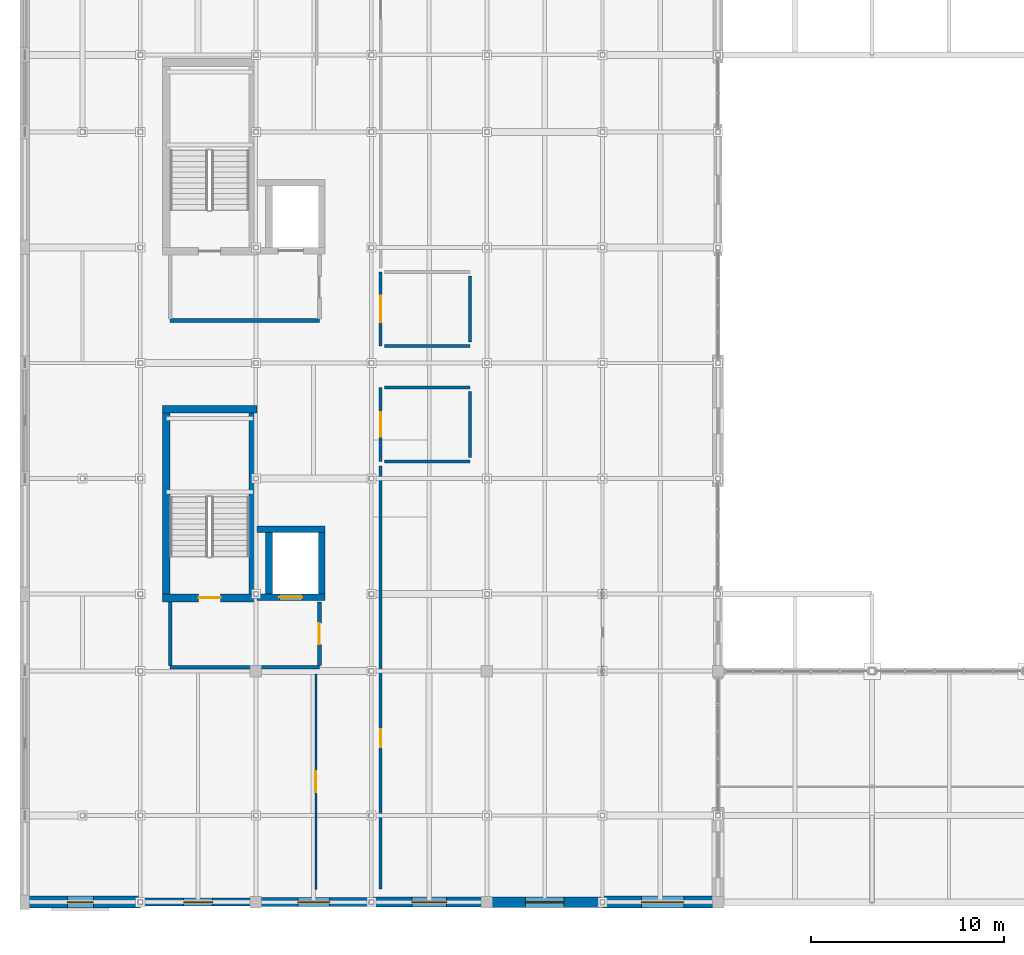
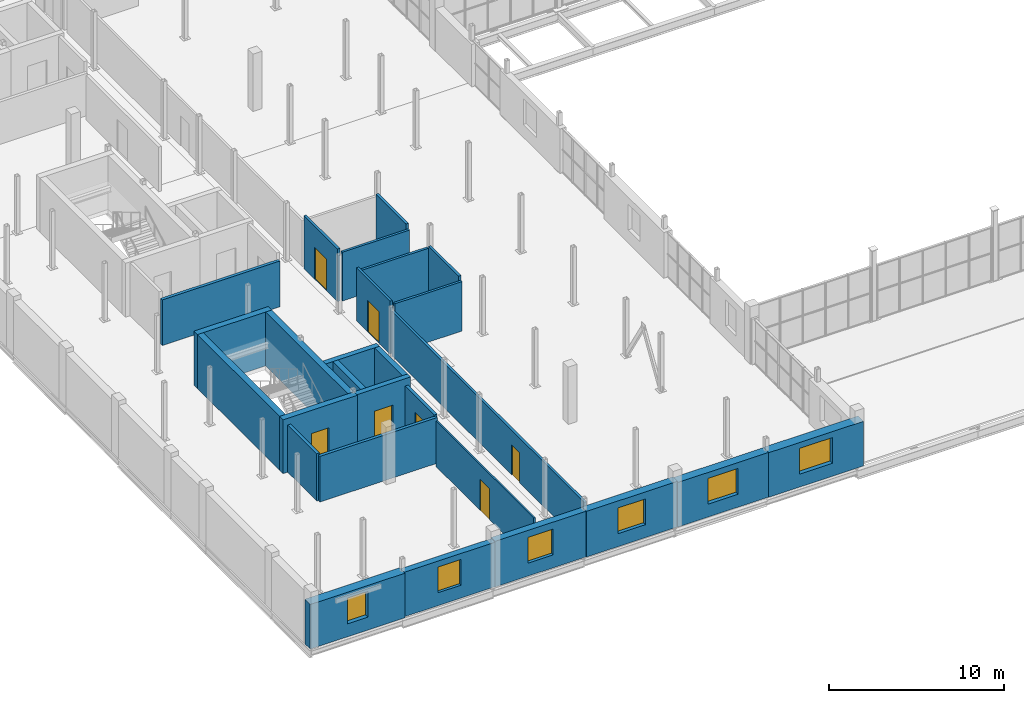
# One storey, part 87 of 96: 27 walls, 7 doors, 6 windows, 13 openings.
"""IFC4 building model written with IfcOpenShell, lengths in metres."""

from ifc_helpers import new_model, si_unit, direction, frame, frame_2d, origin, place, context, subcontext, project, spatial, rectangle, extrude, material, layer, layer_set, type_object, element, fill, save


model = new_model("IFC4")

# Units and contexts
model_context = context("Model", 3, precision=1e-05, world=origin(), true_north=direction((0.0, 1.0)))
body_context = subcontext(model_context, "Body", "Model", "MODEL_VIEW")
ifc_project = project(units=[si_unit("LENGTHUNIT", "METRE"), si_unit("AREAUNIT", "SQUARE_METRE"), si_unit("VOLUMEUNIT", "CUBIC_METRE"), si_unit("PLANEANGLEUNIT", "RADIAN"), si_unit("MASSUNIT", "GRAM", prefix="KILO")], contexts=[model_context])

# Site, building, storey
site_placement = place(None, origin())
site = spatial("IfcSite", under=ifc_project, at=site_placement, CompositionType="ELEMENT")
building_placement = place(site_placement, origin())
building = spatial("IfcBuilding", under=site, at=building_placement, Name="Verrall Gate Interchange", CompositionType="ELEMENT")
storey_placement = place(building_placement, frame((0.0, 0.0, 11.39990234375)))
storey = spatial("IfcBuildingStorey", under=building, at=storey_placement, Name="L03", CompositionType="ELEMENT", Elevation=11.39990234375)

# Wall, opening, window
ifc_material_1 = material(Name="Tyndall Dolomitic Limestone Ashlar Cavity Assembly (U=0.18)", Category="masonry")
ifc_layer_1 = layer(ifc_material_1, 0.419921875)
ifc_layer_set_1 = layer_set([ifc_layer_1], Name="Tyndall Dolomitic Limestone Ashlar Cavity Assembly (U=0.18)")
wall_type_1 = type_object("IfcWallType", Name="EW-01 Exterior Solid Wall 420", PredefinedType="SOLIDWALL", material=ifc_layer_set_1)
wall_1_placement = place(storey_placement, frame((5.991943359375, 0.0, 0.0), z_axis=(0.0, 0.0, 1.0), x_axis=(1.0, 0.0, 0.0)))
wall_1 = element("IfcWall", 1, at=wall_1_placement, inside=storey, type_object=wall_type_1, Name="L03 Classical Limestone Facade Wall 081", PredefinedType="SOLIDWALL", context=body_context, shape_type="SweptSolid", body=[
    extrude(rectangle(XDim=6.01611328125, YDim=0.419921875, at=frame_2d((3.008056640625, 0.0))), origin(), (0.0, 0.0, 1.0), 3.111083984375),
])
opening_1_placement = place(wall_1_placement, frame((2.258056640625, 0.0, 0.89990234375)))
opening_1 = element("IfcOpeningElement", 2, at=opening_1_placement, cuts=wall_1, Name="Opening WN-03", PredefinedType="OPENING", context=body_context, shape_type="SweptSolid", body=[
    extrude(rectangle(XDim=1.5, YDim=1.800048828125, at=frame_2d((0.75, 0.89990234375))), frame((0.0, 0.224853515625, 0.0), z_axis=(0.0, -1.0, 0.0), x_axis=(1.0, 0.0, 0.0)), (0.0, 0.0, 1.0), 0.44970703125),
])
ifc_material_2 = material(Name="Triple-Glazed Low-E Argon Bronze-Clad Window Unit (U=1.40)", Category="glass")
window_type_1 = type_object("IfcWindowType", Name="WN-03 Classical Deep-Reveal Window 1500x1800", PartitioningType="SINGLE_PANEL", PredefinedType="WINDOW", material=ifc_material_2)
window_1_placement = place(opening_1_placement, origin())
window_1 = element("IfcWindow", 3, at=window_1_placement, inside=storey, type_object=window_type_1, Name="L03 Classical Window 039 (WN-03)", OverallHeight=1.800048828125, OverallWidth=1.5, PartitioningType="SINGLE_PANEL", PredefinedType="WINDOW", context=body_context, shape_type="SweptSolid", body=[
    extrude(rectangle(XDim=1.5, YDim=1.800048828125, at=frame_2d((0.75, 0.89990234375))), frame((0.0, 0.030029296875, 0.0), z_axis=(0.0, -1.0, 0.0), x_axis=(1.0, 0.0, 0.0)), (0.0, 0.0, 1.0), 0.06005859375),
])
fill(opening_1, window_1)

ifc_material_3 = material(Name="Tyndall Dolomitic Limestone Ashlar Cavity Assembly (U=0.18)", Category="masonry")
ifc_layer_2 = layer(ifc_material_3, 0.4599609375)
ifc_layer_set_2 = layer_set([ifc_layer_2], Name="Tyndall Dolomitic Limestone Ashlar Cavity Assembly (U=0.18)")
wall_type_2 = type_object("IfcWallType", Name="EW-02 Exterior Solid Wall 460", PredefinedType="SOLIDWALL", material=ifc_layer_set_2)
wall_2_placement = place(storey_placement, frame((11.991943359375, 0.0, 0.0), z_axis=(0.0, 0.0, 1.0), x_axis=(1.0, 0.0, 0.0)))
wall_2 = element("IfcWall", 4, at=wall_2_placement, inside=storey, type_object=wall_type_2, Name="L03 Classical Limestone Facade Wall 082", PredefinedType="SOLIDWALL", context=body_context, shape_type="SweptSolid", body=[
    extrude(rectangle(XDim=6.01611328125, YDim=0.4599609375, at=frame_2d((3.008056640625, 0.0))), origin(), (0.0, 0.0, 1.0), 3.18701171875),
])
opening_2_placement = place(wall_2_placement, frame((2.18310546875, 0.0, 0.89990234375)))
opening_2 = element("IfcOpeningElement", 5, at=opening_2_placement, cuts=wall_2, Name="Opening WN-04", PredefinedType="OPENING", context=body_context, shape_type="SweptSolid", body=[
    extrude(rectangle(XDim=1.64990234375, YDim=1.800048828125, at=frame_2d((0.824951171875, 0.89990234375))), frame((0.0, 0.244873046875, 0.0), z_axis=(0.0, -1.0, 0.0), x_axis=(1.0, 0.0, 0.0)), (0.0, 0.0, 1.0), 0.48974609375),
])
ifc_material_4 = material(Name="Triple-Glazed Low-E Argon Bronze-Clad Window Unit (U=1.40)", Category="glass")
window_type_2 = type_object("IfcWindowType", Name="WN-04 Classical Deep-Reveal Window 1650x1800", PartitioningType="SINGLE_PANEL", PredefinedType="WINDOW", material=ifc_material_4)
window_2_placement = place(opening_2_placement, origin())
window_2 = element("IfcWindow", 6, at=window_2_placement, inside=storey, type_object=window_type_2, Name="L03 Classical Window 040 (WN-04)", OverallHeight=1.800048828125, OverallWidth=1.64990234375, PartitioningType="SINGLE_PANEL", PredefinedType="WINDOW", context=body_context, shape_type="SweptSolid", body=[
    extrude(rectangle(XDim=1.64990234375, YDim=1.800048828125, at=frame_2d((0.824951171875, 0.89990234375))), frame((0.0, 0.030029296875, 0.0), z_axis=(0.0, -1.0, 0.0), x_axis=(1.0, 0.0, 0.0)), (0.0, 0.0, 1.0), 0.06005859375),
])
fill(opening_2, window_2)

ifc_material_5 = material(Name="Prairie Charcoal Granite Plinth Rainscreen Assembly (U=0.18)", Category="masonry")
ifc_layer_3 = layer(ifc_material_5, 0.52001953125)
ifc_layer_set_3 = layer_set([ifc_layer_3], Name="Prairie Charcoal Granite Plinth Rainscreen Assembly (U=0.18)")
wall_type_3 = type_object("IfcWallType", Name="EW-03 Exterior Solid Wall 520", PredefinedType="SOLIDWALL", material=ifc_layer_set_3)
wall_3_placement = place(storey_placement, frame((17.991943359375, 0.0, 0.0), z_axis=(0.0, 0.0, 1.0), x_axis=(1.0, 0.0, 0.0)))
wall_3 = element("IfcWall", 7, at=wall_3_placement, inside=storey, type_object=wall_type_3, Name="L03 Classical Limestone Facade Wall 083", PredefinedType="SOLIDWALL", context=body_context, shape_type="SweptSolid", body=[
    extrude(rectangle(XDim=6.01611328125, YDim=0.52001953125, at=frame_2d((3.008056640625, 0.0))), origin(), (0.0, 0.0, 1.0), 3.18701171875),
])
opening_3_placement = place(wall_3_placement, frame((2.10791015625, 0.0, 0.89990234375)))
opening_3 = element("IfcOpeningElement", 8, at=opening_3_placement, cuts=wall_3, Name="Opening WN-05", PredefinedType="OPENING", context=body_context, shape_type="SweptSolid", body=[
    extrude(rectangle(XDim=1.800048828125, YDim=1.800048828125, at=frame_2d((0.89990234375, 0.89990234375))), frame((0.0, 0.27490234375, 0.0), z_axis=(0.0, -1.0, 0.0), x_axis=(1.0, 0.0, 0.0)), (0.0, 0.0, 1.0), 0.5498046875),
])
ifc_material_6 = material(Name="Triple-Glazed Low-E Argon Bronze-Clad Window Unit (U=1.40)", Category="glass")
window_type_3 = type_object("IfcWindowType", Name="WN-05 Classical Deep-Reveal Window 1800x1800", PartitioningType="SINGLE_PANEL", PredefinedType="WINDOW", material=ifc_material_6)
window_3_placement = place(opening_3_placement, origin())
window_3 = element("IfcWindow", 9, at=window_3_placement, inside=storey, type_object=window_type_3, Name="L03 Classical Window 041 (WN-05)", OverallHeight=1.800048828125, OverallWidth=1.800048828125, PartitioningType="SINGLE_PANEL", PredefinedType="WINDOW", context=body_context, shape_type="SweptSolid", body=[
    extrude(rectangle(XDim=1.800048828125, YDim=1.800048828125, at=frame_2d((0.89990234375, 0.89990234375))), frame((0.0, 0.030029296875, 0.0), z_axis=(0.0, -1.0, 0.0), x_axis=(1.0, 0.0, 0.0)), (0.0, 0.0, 1.0), 0.06005859375),
])
fill(opening_3, window_3)

ifc_material_7 = material(Name="Tyndall Dolomitic Limestone Ashlar Cavity Assembly (U=0.18)", Category="masonry")
ifc_layer_4 = layer(ifc_material_7, 0.56005859375)
ifc_layer_set_4 = layer_set([ifc_layer_4], Name="Tyndall Dolomitic Limestone Ashlar Cavity Assembly (U=0.18)")
wall_type_4 = type_object("IfcWallType", Name="EW-04 Exterior Solid Wall 560", PredefinedType="SOLIDWALL", material=ifc_layer_set_4)
wall_4_placement = place(storey_placement, frame((23.991943359375, 0.0, 0.0), z_axis=(0.0, 0.0, 1.0), x_axis=(1.0, 0.0, 0.0)))
wall_4 = element("IfcWall", 10, at=wall_4_placement, inside=storey, type_object=wall_type_4, Name="L03 Classical Limestone Facade Wall 084", PredefinedType="SOLIDWALL", context=body_context, shape_type="SweptSolid", body=[
    extrude(rectangle(XDim=6.01611328125, YDim=0.56005859375, at=frame_2d((3.008056640625, 0.0))), origin(), (0.0, 0.0, 1.0), 3.111083984375),
])
opening_4_placement = place(wall_4_placement, frame((2.008056640625, 0.0, 0.89990234375)))
opening_4 = element("IfcOpeningElement", 11, at=opening_4_placement, cuts=wall_4, Name="Opening WN-06", PredefinedType="OPENING", context=body_context, shape_type="SweptSolid", body=[
    extrude(rectangle(XDim=2.0, YDim=1.800048828125, at=frame_2d((1.0, 0.89990234375))), frame((0.0, 0.294921875, 0.0), z_axis=(0.0, -1.0, 0.0), x_axis=(1.0, 0.0, 0.0)), (0.0, 0.0, 1.0), 0.58984375),
])
ifc_material_8 = material(Name="Triple-Glazed Low-E Argon Bronze-Clad Window Unit (U=1.40)", Category="glass")
window_type_4 = type_object("IfcWindowType", Name="WN-06 Classical Deep-Reveal Window 2000x1800", PartitioningType="SINGLE_PANEL", PredefinedType="WINDOW", material=ifc_material_8)
window_4_placement = place(opening_4_placement, origin())
window_4 = element("IfcWindow", 12, at=window_4_placement, inside=storey, type_object=window_type_4, Name="L03 Classical Window 042 (WN-06)", OverallHeight=1.800048828125, OverallWidth=2.0, PartitioningType="SINGLE_PANEL", PredefinedType="WINDOW", context=body_context, shape_type="SweptSolid", body=[
    extrude(rectangle(XDim=2.0, YDim=1.800048828125, at=frame_2d((1.0, 0.89990234375))), frame((0.0, 0.030029296875, 0.0), z_axis=(0.0, -1.0, 0.0), x_axis=(1.0, 0.0, 0.0)), (0.0, 0.0, 1.0), 0.06005859375),
])
fill(opening_4, window_4)

ifc_material_9 = material(Name="Prairie Charcoal Granite Plinth Rainscreen Assembly (U=0.18)", Category="masonry")
ifc_layer_5 = layer(ifc_material_9, 0.6201171875)
ifc_layer_set_5 = layer_set([ifc_layer_5], Name="Prairie Charcoal Granite Plinth Rainscreen Assembly (U=0.18)")
wall_type_5 = type_object("IfcWallType", Name="EW-05 Exterior Solid Wall 620", PredefinedType="SOLIDWALL", material=ifc_layer_set_5)
wall_5_placement = place(storey_placement, frame((-0.25, 0.0, 0.0), z_axis=(0.0, 0.0, 1.0), x_axis=(1.0, 0.0, 0.0)))
wall_5 = element("IfcWall", 13, at=wall_5_placement, inside=storey, type_object=wall_type_5, Name="L03 Classical Limestone Facade Wall 080", PredefinedType="SOLIDWALL", context=body_context, shape_type="SweptSolid", body=[
    extrude(rectangle(XDim=6.258056640625, YDim=0.6201171875, at=frame_2d((3.12890625, 0.0))), origin(), (0.0, 0.0, 1.0), 3.111083984375),
])
opening_5_placement = place(wall_5_placement, frame((2.4541015625, 0.0, 0.89990234375)))
opening_5 = element("IfcOpeningElement", 14, at=opening_5_placement, cuts=wall_5, Name="Opening WN-02", PredefinedType="OPENING", context=body_context, shape_type="SweptSolid", body=[
    extrude(rectangle(XDim=1.35009765625, YDim=1.800048828125, at=frame_2d((0.675048828125, 0.89990234375))), frame((0.0, 0.324951171875, 0.0), z_axis=(0.0, -1.0, 0.0), x_axis=(1.0, 0.0, 0.0)), (0.0, 0.0, 1.0), 0.64990234375),
])
ifc_material_10 = material(Name="Triple-Glazed Low-E Argon Bronze-Clad Window Unit (U=1.40)", Category="glass")
window_type_5 = type_object("IfcWindowType", Name="WN-02 Classical Deep-Reveal Window 1350x1800", PartitioningType="SINGLE_PANEL", PredefinedType="WINDOW", material=ifc_material_10)
window_5_placement = place(opening_5_placement, origin())
window_5 = element("IfcWindow", 15, at=window_5_placement, inside=storey, type_object=window_type_5, Name="L03 Classical Window 038 (WN-02)", OverallHeight=1.800048828125, OverallWidth=1.35009765625, PartitioningType="SINGLE_PANEL", PredefinedType="WINDOW", context=body_context, shape_type="SweptSolid", body=[
    extrude(rectangle(XDim=1.35009765625, YDim=1.800048828125, at=frame_2d((0.675048828125, 0.89990234375))), frame((0.0, 0.030029296875, 0.0), z_axis=(0.0, -1.0, 0.0), x_axis=(1.0, 0.0, 0.0)), (0.0, 0.0, 1.0), 0.06005859375),
])
fill(opening_5, window_5)

wall_6_placement = place(storey_placement, frame((29.991943359375, 0.0, 0.0), z_axis=(0.0, 0.0, 1.0), x_axis=(1.0, 0.0, 0.0)))
wall_6 = element("IfcWall", 16, at=wall_6_placement, inside=storey, type_object=wall_type_5, Name="L03 Classical Limestone Facade Wall 085", PredefinedType="SOLIDWALL", context=body_context, shape_type="SweptSolid", body=[
    extrude(rectangle(XDim=6.258056640625, YDim=0.6201171875, at=frame_2d((3.12890625, 0.0))), origin(), (0.0, 0.0, 1.0), 3.111083984375),
])
opening_6_placement = place(wall_6_placement, frame((2.029052734375, 0.0, 0.89990234375)))
opening_6 = element("IfcOpeningElement", 17, at=opening_6_placement, cuts=wall_6, Name="Opening WN-07", PredefinedType="OPENING", context=body_context, shape_type="SweptSolid", body=[
    extrude(rectangle(XDim=2.199951171875, YDim=1.800048828125, at=frame_2d((1.10009765625, 0.89990234375))), frame((0.0, 0.324951171875, 0.0), z_axis=(0.0, -1.0, 0.0), x_axis=(1.0, 0.0, 0.0)), (0.0, 0.0, 1.0), 0.64990234375),
])
ifc_material_11 = material(Name="Triple-Glazed Low-E Argon Bronze-Clad Window Unit (U=1.40)", Category="glass")
window_type_6 = type_object("IfcWindowType", Name="WN-07 Classical Deep-Reveal Window 2200x1800", PartitioningType="SINGLE_PANEL", PredefinedType="WINDOW", material=ifc_material_11)
window_6_placement = place(opening_6_placement, origin())
window_6 = element("IfcWindow", 18, at=window_6_placement, inside=storey, type_object=window_type_6, Name="L03 Classical Window 043 (WN-07)", OverallHeight=1.800048828125, OverallWidth=2.199951171875, PartitioningType="SINGLE_PANEL", PredefinedType="WINDOW", context=body_context, shape_type="SweptSolid", body=[
    extrude(rectangle(XDim=2.199951171875, YDim=1.800048828125, at=frame_2d((1.10009765625, 0.89990234375))), frame((0.0, 0.030029296875, 0.0), z_axis=(0.0, -1.0, 0.0), x_axis=(1.0, 0.0, 0.0)), (0.0, 0.0, 1.0), 0.06005859375),
])
fill(opening_6, window_6)

# Walls
ifc_material_12 = material(Name="Fire-Rated Type X Gypsum Stud Partition Assembly (60 min)", Category="gypsum")
ifc_layer_6 = layer(ifc_material_12, 0.199951171875)
ifc_layer_set_6 = layer_set([ifc_layer_6], Name="Fire-Rated Type X Gypsum Stud Partition Assembly (60 min)")
wall_type_6 = type_object("IfcWallType", Name="IW-01 Interior Partition Wall 200", PredefinedType="PARTITIONING", material=ifc_layer_set_6)
wall_7_placement = place(storey_placement, frame((7.550048828125, 12.199951171875, 0.0), z_axis=(0.0, 0.0, 1.0), x_axis=(1.0, 0.0, 0.0)))
element("IfcWall", 19, at=wall_7_placement, inside=storey, type_object=wall_type_6, Name="L03 Core C1 Lobby South Rated Wall", PredefinedType="PARTITIONING", context=body_context, shape_type="SweptSolid", body=[
    extrude(rectangle(XDim=7.75, YDim=0.199951171875, at=frame_2d((3.875, 0.0))), origin(), (0.0, 0.0, 1.0), 3.18701171875),
])
wall_8_placement = place(storey_placement, frame((7.550048828125, 15.60009765625, 0.0), z_axis=(0.0, 0.0, 1.0), x_axis=(0.0, -1.0, 0.0)))
element("IfcWall", 20, at=wall_8_placement, inside=storey, type_object=wall_type_6, Name="L03 Core C1 Lobby West Rated Wall", PredefinedType="PARTITIONING", context=body_context, shape_type="SweptSolid", body=[
    extrude(rectangle(XDim=3.320068359375, YDim=0.199951171875, at=frame_2d((1.66015625, 0.0))), origin(), (0.0, 0.0, 1.0), 3.294189453125),
])

# Wall, opening, door
wall_9_placement = place(storey_placement, frame((15.300048828125, 12.280029296875, 0.0), z_axis=(0.0, 0.0, 1.0), x_axis=(0.0, 1.0, 0.0)))
wall_9 = element("IfcWall", 21, at=wall_9_placement, inside=storey, type_object=wall_type_6, Name="L03 Core C1 Lobby East Rated Wall", PredefinedType="PARTITIONING", context=body_context, shape_type="SweptSolid", body=[
    extrude(rectangle(XDim=3.320068359375, YDim=0.199951171875, at=frame_2d((1.66015625, 0.0))), origin(), (0.0, 0.0, 1.0), 3.296142578125),
])
opening_7_placement = place(wall_9_placement, frame((1.110107421875, 0.0, 0.0)))
opening_7 = element("IfcOpeningElement", 22, at=opening_7_placement, cuts=wall_9, Name="Opening LBD014", PredefinedType="OPENING", context=body_context, shape_type="SweptSolid", body=[
    extrude(rectangle(XDim=1.10009765625, YDim=2.14990234375, at=frame_2d((0.550048828125, 1.074951171875))), frame((0.0, 0.11474609375, 0.0), z_axis=(0.0, -1.0, 0.0), x_axis=(1.0, 0.0, 0.0)), (0.0, 0.0, 1.0), 0.229736328125),
])
ifc_material_13 = material(Name="Hollow-Metal Fire-Rated Door Assembly", Category="metal")
door_type_1 = type_object("IfcDoorType", Name="ID-06 Interior Swing Door 1100x2150", OperationType="NOTDEFINED", PredefinedType="DOOR", material=ifc_material_13)
door_1_placement = place(opening_7_placement, origin())
door_1 = element("IfcDoor", 23, at=door_1_placement, inside=storey, type_object=door_type_1, Name="L03 Core C1 Lobby Fire Door LBD014", OperationType="SINGLE_SWING_RIGHT", OverallHeight=2.14990234375, OverallWidth=1.10009765625, PredefinedType="DOOR", context=body_context, shape_type="SweptSolid", body=[
    extrude(rectangle(XDim=1.10009765625, YDim=2.14990234375, at=frame_2d((0.550048828125, 1.074951171875))), frame((0.0, 0.02490234375, 0.0), z_axis=(0.0, -1.0, 0.0), x_axis=(1.0, 0.0, 0.0)), (0.0, 0.0, 1.0), 0.050048828125),
])
fill(opening_7, door_1)

# Wall
wall_10_placement = place(storey_placement, frame((7.550048828125, 30.199951171875, 0.0), z_axis=(0.0, 0.0, 1.0), x_axis=(1.0, 0.0, 0.0)))
element("IfcWall", 24, at=wall_10_placement, inside=storey, type_object=wall_type_6, Name="L03 Core C2 Lobby South Rated Wall", PredefinedType="PARTITIONING", context=body_context, shape_type="SweptSolid", body=[
    extrude(rectangle(XDim=7.75, YDim=0.199951171875, at=frame_2d((3.875, 0.0))), origin(), (0.0, 0.0, 1.0), 3.18701171875),
])

# Wall, opening, door
ifc_material_14 = material(Name="Fire-Rated Type X Gypsum Stud Partition Assembly (60 min)", Category="gypsum")
ifc_layer_7 = layer(ifc_material_14, 0.159912109375)
ifc_layer_set_7 = layer_set([ifc_layer_7], Name="Fire-Rated Type X Gypsum Stud Partition Assembly (60 min)")
wall_type_7 = type_object("IfcWallType", Name="IW-02 Interior Partition Wall 160", PredefinedType="PARTITIONING", material=ifc_layer_set_7)
wall_11_placement = place(storey_placement, frame((18.47998046875, 22.8798828125, 0.0), z_axis=(0.0, 0.0, 1.0), x_axis=(0.0, 1.0, 0.0)))
wall_11 = element("IfcWall", 25, at=wall_11_placement, inside=storey, type_object=wall_type_7, Name="L03 L03 Public Washrooms Partition 049", PredefinedType="PARTITIONING", context=body_context, shape_type="SweptSolid", body=[
    extrude(rectangle(XDim=3.840087890625, YDim=0.159912109375, at=frame_2d((1.919921875, 0.0))), origin(), (0.0, 0.0, 1.0), 3.68017578125),
])
opening_8_placement = place(wall_11_placement, frame((1.280029296875, 0.0, 0.0)))
opening_8 = element("IfcOpeningElement", 26, at=opening_8_placement, cuts=wall_11, Name="Opening D039", PredefinedType="OPENING", context=body_context, shape_type="SweptSolid", body=[
    extrude(rectangle(XDim=1.280029296875, YDim=2.199951171875, at=frame_2d((0.64013671875, 1.10009765625))), frame((0.0, 0.0947265625, 0.0), z_axis=(0.0, -1.0, 0.0), x_axis=(1.0, 0.0, 0.0)), (0.0, 0.0, 1.0), 0.189697265625),
])
ifc_material_15 = material(Name="Architectural Solid-Core Birch Acoustic Door Assembly", Category="wood")
door_type_2 = type_object("IfcDoorType", Name="ID-16 Interior Swing Door 1280x2200", OperationType="NOTDEFINED", PredefinedType="DOOR", material=ifc_material_15)
door_2_placement = place(opening_8_placement, origin())
door_2 = element("IfcDoor", 27, at=door_2_placement, inside=storey, type_object=door_type_2, Name="L03 L03 Public Washrooms Door D039", OperationType="SINGLE_SWING_RIGHT", OverallHeight=2.199951171875, OverallWidth=1.280029296875, PredefinedType="DOOR", context=body_context, shape_type="SweptSolid", body=[
    extrude(rectangle(XDim=1.280029296875, YDim=2.199951171875, at=frame_2d((0.64013671875, 1.10009765625))), frame((0.0, 0.02490234375, 0.0), z_axis=(0.0, -1.0, 0.0), x_axis=(1.0, 0.0, 0.0)), (0.0, 0.0, 1.0), 0.050048828125),
])
fill(opening_8, door_2)

# Walls
for number, where, z_axis, x_axis, name in (
    (28, (18.679931640625, 26.719970703125, 0.0), (0.0, 0.0, 1.0), (1.0, 0.0, 0.0), "L03 L03 Public Washrooms Partition 050"),
    (29, (23.1201171875, 22.8798828125, 0.0), (0.0, 0.0, 1.0), (-1.0, 0.0, 0.0), "L03 L03 Public Washrooms Partition 051"),
):
    element("IfcWall", number, at=place(storey_placement, frame(where, z_axis=z_axis, x_axis=x_axis)), inside=storey, type_object=wall_type_7, Name=name, PredefinedType="PARTITIONING", context=body_context, shape_type="SweptSolid", body=[
        extrude(rectangle(XDim=4.440185546875, YDim=0.159912109375, at=frame_2d((2.22021484375, 0.0))), origin(), (0.0, 0.0, 1.0), 3.447021484375),
    ])
wall_12_placement = place(storey_placement, frame((23.1201171875, 26.52001953125, 0.0), z_axis=(0.0, 0.0, 1.0), x_axis=(0.0, -1.0, 0.0)))
element("IfcWall", 30, at=wall_12_placement, inside=storey, type_object=wall_type_7, Name="L03 L03 Public Washrooms Partition 052", PredefinedType="PARTITIONING", context=body_context, shape_type="SweptSolid", body=[
    extrude(rectangle(XDim=3.43994140625, YDim=0.159912109375, at=frame_2d((1.719970703125, 0.0))), origin(), (0.0, 0.0, 1.0), 3.68017578125),
])

# Wall, opening, door
wall_13_placement = place(storey_placement, frame((18.47998046875, 28.8798828125, 0.0), z_axis=(0.0, 0.0, 1.0), x_axis=(0.0, 1.0, 0.0)))
wall_13 = element("IfcWall", 31, at=wall_13_placement, inside=storey, type_object=wall_type_7, Name="L03 L03 Accessible Washroom Partition 053", PredefinedType="PARTITIONING", context=body_context, shape_type="SweptSolid", body=[
    extrude(rectangle(XDim=3.840087890625, YDim=0.159912109375, at=frame_2d((1.919921875, 0.0))), origin(), (0.0, 0.0, 1.0), 3.68017578125),
])
opening_9_placement = place(wall_13_placement, frame((1.239990234375, 0.0, 0.0)))
opening_9 = element("IfcOpeningElement", 32, at=opening_9_placement, cuts=wall_13, Name="Opening D040", PredefinedType="OPENING", context=body_context, shape_type="SweptSolid", body=[
    extrude(rectangle(XDim=1.360107421875, YDim=2.199951171875, at=frame_2d((0.68017578125, 1.10009765625))), frame((0.0, 0.0947265625, 0.0), z_axis=(0.0, -1.0, 0.0), x_axis=(1.0, 0.0, 0.0)), (0.0, 0.0, 1.0), 0.189697265625),
])
ifc_material_16 = material(Name="Architectural Solid-Core Birch Acoustic Door Assembly", Category="wood")
door_type_3 = type_object("IfcDoorType", Name="ID-17 Interior Swing Door 1360x2200", OperationType="NOTDEFINED", PredefinedType="DOOR", material=ifc_material_16)
door_3_placement = place(opening_9_placement, origin())
door_3 = element("IfcDoor", 33, at=door_3_placement, inside=storey, type_object=door_type_3, Name="L03 L03 Accessible Washroom Door D040", OperationType="SINGLE_SWING_LEFT", OverallHeight=2.199951171875, OverallWidth=1.360107421875, PredefinedType="DOOR", context=body_context, shape_type="SweptSolid", body=[
    extrude(rectangle(XDim=1.360107421875, YDim=2.199951171875, at=frame_2d((0.68017578125, 1.10009765625))), frame((0.0, 0.02490234375, 0.0), z_axis=(0.0, -1.0, 0.0), x_axis=(1.0, 0.0, 0.0)), (0.0, 0.0, 1.0), 0.050048828125),
])
fill(opening_9, door_3)

# Walls
wall_14_placement = place(storey_placement, frame((23.1201171875, 28.8798828125, 0.0), z_axis=(0.0, 0.0, 1.0), x_axis=(-1.0, 0.0, 0.0)))
element("IfcWall", 34, at=wall_14_placement, inside=storey, type_object=wall_type_7, Name="L03 L03 Accessible Washroom Partition 055", PredefinedType="PARTITIONING", context=body_context, shape_type="SweptSolid", body=[
    extrude(rectangle(XDim=4.440185546875, YDim=0.159912109375, at=frame_2d((2.22021484375, 0.0))), origin(), (0.0, 0.0, 1.0), 3.403076171875),
])
wall_15_placement = place(storey_placement, frame((23.1201171875, 32.52001953125, 0.0), z_axis=(0.0, 0.0, 1.0), x_axis=(0.0, -1.0, 0.0)))
element("IfcWall", 35, at=wall_15_placement, inside=storey, type_object=wall_type_7, Name="L03 L03 Accessible Washroom Partition 056", PredefinedType="PARTITIONING", context=body_context, shape_type="SweptSolid", body=[
    extrude(rectangle(XDim=3.43994140625, YDim=0.159912109375, at=frame_2d((1.719970703125, 0.0))), origin(), (0.0, 0.0, 1.0), 3.68017578125),
])

# Wall, opening, door
wall_16_placement = place(storey_placement, frame((18.47998046875, 0.679931640625, 0.0), z_axis=(0.0, 0.0, 1.0), x_axis=(0.0, 1.0, 0.0)))
wall_16 = element("IfcWall", 36, at=wall_16_placement, inside=storey, type_object=wall_type_7, Name="L03 Public Consultation Assembly Chamber Partition 057", PredefinedType="PARTITIONING", context=body_context, shape_type="SweptSolid", body=[
    extrude(rectangle(XDim=21.97998046875, YDim=0.159912109375, at=frame_2d((10.989990234375, 0.0))), origin(), (0.0, 0.0, 1.0), 3.111083984375),
])
opening_10_placement = place(wall_16_placement, frame((7.37109375, 0.0, 0.0)))
opening_10 = element("IfcOpeningElement", 37, at=opening_10_placement, cuts=wall_16, Name="Opening D041", PredefinedType="OPENING", context=body_context, shape_type="SweptSolid", body=[
    extrude(rectangle(XDim=0.919921875, YDim=2.10009765625, at=frame_2d((0.4599609375, 1.050048828125))), frame((0.0, 0.0947265625, 0.0), z_axis=(0.0, -1.0, 0.0), x_axis=(1.0, 0.0, 0.0)), (0.0, 0.0, 1.0), 0.189697265625),
])
ifc_material_17 = material(Name="Architectural Solid-Core Birch Acoustic Door Assembly", Category="wood")
door_type_4 = type_object("IfcDoorType", Name="ID-10 Interior Swing Door 920x2100", OperationType="NOTDEFINED", PredefinedType="DOOR", material=ifc_material_17)
door_4_placement = place(opening_10_placement, origin())
door_4 = element("IfcDoor", 38, at=door_4_placement, inside=storey, type_object=door_type_4, Name="L03 Public Consultation Assembly Chamber Door D041", OperationType="SINGLE_SWING_RIGHT", OverallHeight=2.10009765625, OverallWidth=0.919921875, PredefinedType="DOOR", context=body_context, shape_type="SweptSolid", body=[
    extrude(rectangle(XDim=0.919921875, YDim=2.10009765625, at=frame_2d((0.4599609375, 1.050048828125))), frame((0.0, 0.02490234375, 0.0), z_axis=(0.0, -1.0, 0.0), x_axis=(1.0, 0.0, 0.0)), (0.0, 0.0, 1.0), 0.050048828125),
])
fill(opening_10, door_4)

ifc_material_18 = material(Name="Acoustic Steel-Stud Partition Assembly", Category="steel")
ifc_layer_8 = layer(ifc_material_18, 0.10009765625)
ifc_layer_set_8 = layer_set([ifc_layer_8], Name="Acoustic Steel-Stud Partition Assembly")
wall_type_8 = type_object("IfcWallType", Name="IW-05 Interior Partition Wall 100", PredefinedType="PARTITIONING", material=ifc_layer_set_8)
wall_17_placement = place(storey_placement, frame((15.1201171875, 11.840087890625, 0.0), z_axis=(0.0, 0.0, 1.0), x_axis=(0.0, -1.0, 0.0)))
wall_17 = element("IfcWall", 39, at=wall_17_placement, inside=storey, type_object=wall_type_8, Name="L03 Accessibility Assessment Clinic Partition 060", PredefinedType="PARTITIONING", context=body_context, shape_type="SweptSolid", body=[
    extrude(rectangle(XDim=11.16015625, YDim=0.10009765625, at=frame_2d((5.580078125, 0.0))), origin(), (0.0, 0.0, 1.0), 3.18701171875),
])
opening_11_placement = place(wall_17_placement, frame((5.0400390625, 0.0, 0.0)))
opening_11 = element("IfcOpeningElement", 40, at=opening_11_placement, cuts=wall_17, Name="Opening D044", PredefinedType="OPENING", context=body_context, shape_type="SweptSolid", body=[
    extrude(rectangle(XDim=1.080078125, YDim=2.14990234375, at=frame_2d((0.5400390625, 1.074951171875))), frame((0.0, 0.06494140625, 0.0), z_axis=(0.0, -1.0, 0.0), x_axis=(1.0, 0.0, 0.0)), (0.0, 0.0, 1.0), 0.1298828125),
])
ifc_material_19 = material(Name="Architectural Solid-Core Birch Acoustic Door Assembly", Category="wood")
door_type_5 = type_object("IfcDoorType", Name="ID-13 Interior Swing Door 1080x2150", OperationType="NOTDEFINED", PredefinedType="DOOR", material=ifc_material_19)
door_5_placement = place(opening_11_placement, origin())
door_5 = element("IfcDoor", 41, at=door_5_placement, inside=storey, type_object=door_type_5, Name="L03 Accessibility Assessment Clinic Door D044", OperationType="SINGLE_SWING_LEFT", OverallHeight=2.14990234375, OverallWidth=1.080078125, PredefinedType="DOOR", context=body_context, shape_type="SweptSolid", body=[
    extrude(rectangle(XDim=1.080078125, YDim=2.14990234375, at=frame_2d((0.5400390625, 1.074951171875))), frame((0.0, 0.02490234375, 0.0), z_axis=(0.0, -1.0, 0.0), x_axis=(1.0, 0.0, 0.0)), (0.0, 0.0, 1.0), 0.050048828125),
])
fill(opening_11, door_5)

ifc_material_20 = material(Name="Concrete CSA A23.1 40 MPa (Class N)", Category="concrete")
ifc_layer_9 = layer(ifc_material_20, 0.39990234375)
ifc_layer_set_9 = layer_set([ifc_layer_9], Name="Concrete CSA A23.1 40 MPa (Class N)")
wall_type_9 = type_object("IfcWallType", Name="SW-01 Core Shear Wall 400", PredefinedType="SHEAR", material=ifc_layer_set_9)
wall_18_placement = place(storey_placement, frame((7.14990234375, 15.800048828125, 0.0), z_axis=(0.0, 0.0, 1.0), x_axis=(1.0, 0.0, 0.0)))
wall_18 = element("IfcWall", 42, at=wall_18_placement, inside=storey, type_object=wall_type_9, Name="L03 Core C1 South Shear Wall", PredefinedType="SHEAR", context=body_context, shape_type="SweptSolid", body=[
    extrude(rectangle(XDim=4.900146484375, YDim=0.39990234375, at=frame_2d((2.4501953125, 0.0))), origin(), (0.0, 0.0, 1.0), 3.760009765625),
])
opening_12_placement = place(wall_18_placement, frame((1.875, 0.0, 0.0)))
opening_12 = element("IfcOpeningElement", 43, at=opening_12_placement, cuts=wall_18, Name="Opening SD005", PredefinedType="OPENING", context=body_context, shape_type="SweptSolid", body=[
    extrude(rectangle(XDim=1.14990234375, YDim=2.14990234375, at=frame_2d((0.574951171875, 1.074951171875))), frame((0.0, 0.21484375, 0.0), z_axis=(0.0, -1.0, 0.0), x_axis=(1.0, 0.0, 0.0)), (0.0, 0.0, 1.0), 0.4296875),
])
ifc_material_21 = material(Name="Hollow-Metal Fire-Rated Door Assembly", Category="metal")
door_type_6 = type_object("IfcDoorType", Name="ID-02 Interior Swing Door 1150x2150", OperationType="NOTDEFINED", PredefinedType="DOOR", material=ifc_material_21)
door_6_placement = place(opening_12_placement, origin())
door_6 = element("IfcDoor", 44, at=door_6_placement, inside=storey, type_object=door_type_6, Name="L03 Stair ST-01 Fire Door SD005", OperationType="SINGLE_SWING_LEFT", OverallHeight=2.14990234375, OverallWidth=1.14990234375, PredefinedType="DOOR", context=body_context, shape_type="SweptSolid", body=[
    extrude(rectangle(XDim=1.14990234375, YDim=2.14990234375, at=frame_2d((0.574951171875, 1.074951171875))), frame((0.0, 0.02490234375, 0.0), z_axis=(0.0, -1.0, 0.0), x_axis=(1.0, 0.0, 0.0)), (0.0, 0.0, 1.0), 0.050048828125),
])
fill(opening_12, door_6)

# Walls
wall_19_placement = place(storey_placement, frame((12.050048828125, 25.60009765625, 0.0), z_axis=(0.0, 0.0, 1.0), x_axis=(-1.0, 0.0, 0.0)))
element("IfcWall", 45, at=wall_19_placement, inside=storey, type_object=wall_type_9, Name="L03 Core C1 North Shear Wall", PredefinedType="SHEAR", context=body_context, shape_type="SweptSolid", body=[
    extrude(rectangle(XDim=4.900146484375, YDim=0.39990234375, at=frame_2d((2.4501953125, 0.0))), origin(), (0.0, 0.0, 1.0), 3.760009765625),
])
for number, where, z_axis, x_axis, name in (
    (46, (7.35009765625, 25.39990234375, 0.0), (0.0, 0.0, 1.0), (0.0, -1.0, 0.0), "L03 Core C1 West Shear Wall"),
    (47, (11.85009765625, 16.0, 0.0), (0.0, 0.0, 1.0), (0.0, 1.0, 0.0), "L03 Core C1 East Shear Wall"),
):
    element("IfcWall", number, at=place(storey_placement, frame(where, z_axis=z_axis, x_axis=x_axis)), inside=storey, type_object=wall_type_9, Name=name, PredefinedType="SHEAR", context=body_context, shape_type="SweptSolid", body=[
        extrude(rectangle(XDim=9.39990234375, YDim=0.39990234375, at=frame_2d((4.699951171875, 0.0))), origin(), (0.0, 0.0, 1.0), 3.760009765625),
    ])

# Wall, opening, door
ifc_material_22 = material(Name="Concrete CSA A23.1 40 MPa (Class N)", Category="concrete")
ifc_layer_10 = layer(ifc_material_22, 0.340087890625)
ifc_layer_set_10 = layer_set([ifc_layer_10], Name="Concrete CSA A23.1 40 MPa (Class N)")
wall_type_10 = type_object("IfcWallType", Name="SW-02 Core Shear Wall 340", PredefinedType="SHEAR", material=ifc_layer_set_10)
wall_20_placement = place(storey_placement, frame((12.050048828125, 15.830078125, 0.0), z_axis=(0.0, 0.0, 1.0), x_axis=(1.0, 0.0, 0.0)))
wall_20 = element("IfcWall", 48, at=wall_20_placement, inside=storey, type_object=wall_type_10, Name="L03 Elevator EL-01 South Shaft Wall", PredefinedType="SHEAR", context=body_context, shape_type="SweptSolid", body=[
    extrude(rectangle(XDim=3.5400390625, YDim=0.340087890625, at=frame_2d((1.77001953125, 0.0))), origin(), (0.0, 0.0, 1.0), 3.760009765625),
])
opening_13_placement = place(wall_20_placement, frame((1.169921875, 0.0, 0.0)))
opening_13 = element("IfcOpeningElement", 49, at=opening_13_placement, cuts=wall_20, Name="Opening LD-01-L03", PredefinedType="OPENING", context=body_context, shape_type="SweptSolid", body=[
    extrude(rectangle(XDim=1.199951171875, YDim=2.199951171875, at=frame_2d((0.60009765625, 1.10009765625))), frame((0.0, 0.18505859375, 0.0), z_axis=(0.0, -1.0, 0.0), x_axis=(1.0, 0.0, 0.0)), (0.0, 0.0, 1.0), 0.369873046875),
])
ifc_material_23 = material(Name="Stainless-Steel Elevator Landing Sliding Door Assembly", Category="steel")
door_type_7 = type_object("IfcDoorType", Name="LD-02 Elevator Sliding Landing Door 1200x2200", OperationType="NOTDEFINED", PredefinedType="DOOR", material=ifc_material_23)
door_7_placement = place(opening_13_placement, origin())
door_7 = element("IfcDoor", 50, at=door_7_placement, inside=storey, type_object=door_type_7, Name="L03 Elevator EL-01 Sliding Landing Door", OperationType="DOUBLE_DOOR_SLIDING", OverallHeight=2.199951171875, OverallWidth=1.199951171875, PredefinedType="DOOR", context=body_context, shape_type="SweptSolid", body=[
    extrude(rectangle(XDim=1.199951171875, YDim=2.199951171875, at=frame_2d((0.60009765625, 1.10009765625))), frame((0.0, 0.02490234375, 0.0), z_axis=(0.0, -1.0, 0.0), x_axis=(1.0, 0.0, 0.0)), (0.0, 0.0, 1.0), 0.050048828125),
])
fill(opening_13, door_7)

# Walls
wall_21_placement = place(storey_placement, frame((15.590087890625, 19.3701171875, 0.0), z_axis=(0.0, 0.0, 1.0), x_axis=(-1.0, 0.0, 0.0)))
element("IfcWall", 51, at=wall_21_placement, inside=storey, type_object=wall_type_10, Name="L03 Elevator EL-01 North Shaft Wall", PredefinedType="SHEAR", context=body_context, shape_type="SweptSolid", body=[
    extrude(rectangle(XDim=3.5400390625, YDim=0.340087890625, at=frame_2d((1.77001953125, 0.0))), origin(), (0.0, 0.0, 1.0), 3.760009765625),
])
for number, where, z_axis, x_axis, name in (
    (52, (12.679931640625, 19.199951171875, 0.0), (0.0, 0.0, 1.0), (0.0, -1.0, 0.0), "L03 Elevator EL-01 West Shaft Wall"),
    (53, (15.419921875, 16.0, 0.0), (0.0, 0.0, 1.0), (0.0, 1.0, 0.0), "L03 Elevator EL-01 East Shaft Wall"),
):
    element("IfcWall", number, at=place(storey_placement, frame(where, z_axis=z_axis, x_axis=x_axis)), inside=storey, type_object=wall_type_10, Name=name, PredefinedType="SHEAR", context=body_context, shape_type="SweptSolid", body=[
        extrude(rectangle(XDim=3.199951171875, YDim=0.340087890625, at=frame_2d((1.60009765625, 0.0))), origin(), (0.0, 0.0, 1.0), 3.760009765625),
    ])

save(model, "model.ifc")
